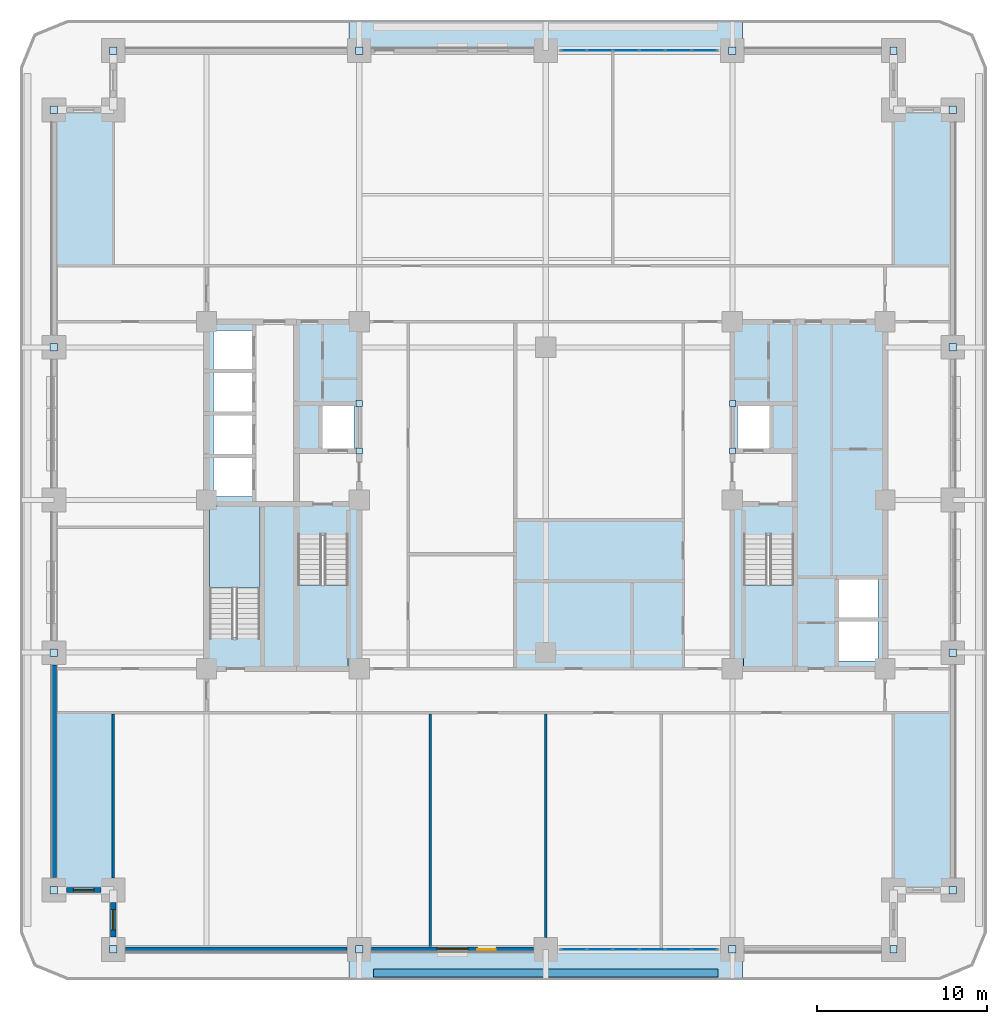
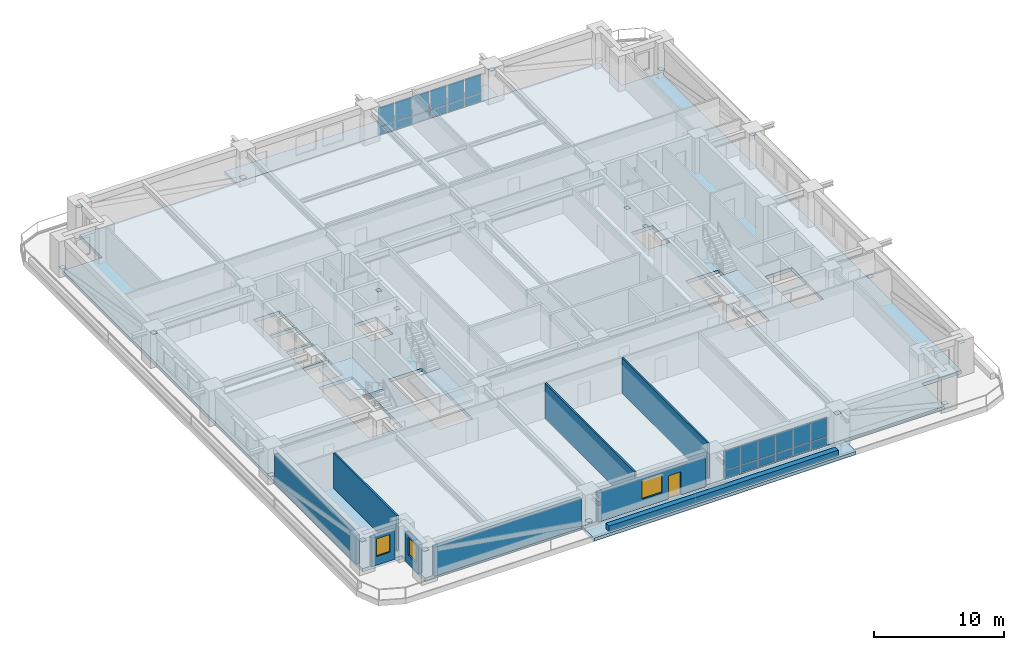
# One storey, part 7 of 20: 44 plates, 9 walls, 6 slabs, 3 windows, 1 door, 4 openings, 5 elements without a shape of their own.
"""IFC4 building model written with IfcOpenShell, lengths in metres."""

import ifcopenshell
import ifcopenshell.guid

model = None  # the IFC model being written
_history = None  # IfcOwnerHistory: only IFC2X3 demands one
_inside = {}  # id of a spatial element -> (the spatial element, [elements in it])
_under = {}  # id of a project, library or spatial element -> (it, [spatial elements below it])
_declared = {}  # id of a project -> (the project, [libraries it declares])
_typed = {}  # id of a type object -> (the type object, [elements of that type])
_made_of = {}  # id of a material, layer set ... -> (it, [elements and type objects made of it])


def new_model(schema):
    """Start an empty IFC model of exactly this schema.

    Asked for "IFC4X3", IfcOpenShell would pick the latest addendum, in which some entities
    have other attributes; the version numbers below select the first issue.
    IFC2X3 requires an IfcOwnerHistory on every rooted entity: one is made here for all.
    """
    global model, _history
    if schema == "IFC4X3":
        model = ifcopenshell.file(schema_version=(4, 3, 0, 0))
    else:
        model = ifcopenshell.file(schema=schema)
    _inside.clear()
    _under.clear()
    _declared.clear()
    _typed.clear()
    _made_of.clear()
    _history = None
    if model.schema == "IFC2X3":
        org = make("IfcOrganization", Name="unknown")
        user = make(
            "IfcPersonAndOrganization",
            ThePerson=make("IfcPerson", FamilyName="unknown"),
            TheOrganization=org,
        )
        app = make(
            "IfcApplication",
            ApplicationDeveloper=org,
            Version="unknown",
            ApplicationFullName="unknown",
            ApplicationIdentifier="unknown",
        )
        _history = make(
            "IfcOwnerHistory",
            OwningUser=user,
            OwningApplication=app,
            ChangeAction="ADDED",
            CreationDate=0,
        )
    return model


def make(cls, **values):
    """One entity of the class cls with the attributes given. An attribute that is None is left unset."""
    return model.create_entity(
        cls, **{name: value for name, value in values.items() if value is not None}
    )


def rooted(cls, **values):
    """An entity with a GlobalId (a new one), such as an element, a storey or a relation."""
    return make(cls, GlobalId=ifcopenshell.guid.new(), OwnerHistory=_history, **values)


def si_unit(unit_type, name, prefix=None):
    """IfcSIUnit, for example si_unit("LENGTHUNIT", "METRE", prefix="MILLI")."""
    return make("IfcSIUnit", UnitType=unit_type, Prefix=prefix, Name=name)


def assignment(units):
    """IfcUnitAssignment: the units of a project."""
    return None if units is None else make("IfcUnitAssignment", Units=units)


def point(xyz):
    """IfcCartesianPoint."""
    return None if xyz is None else make("IfcCartesianPoint", Coordinates=xyz)


def direction(xyz):
    """IfcDirection."""
    return None if xyz is None else make("IfcDirection", DirectionRatios=xyz)


def frame(location, z_axis=None, x_axis=None):
    """IfcAxis2Placement3D, a coordinate frame: its origin and axes. An axis left out is left unset."""
    return make(
        "IfcAxis2Placement3D",
        Location=point(location),
        Axis=direction(z_axis),
        RefDirection=direction(x_axis),
    )


def frame_2d(location, x_axis=None):
    """IfcAxis2Placement2D, a coordinate frame in the plane: its origin and x axis."""
    return make(
        "IfcAxis2Placement2D", Location=point(location), RefDirection=direction(x_axis)
    )


def origin():
    """The frame at (0, 0, 0) with its axes left unset."""
    return frame((0.0, 0.0, 0.0))


def origin_2d():
    """The frame at (0, 0) in the plane with its x axis left unset."""
    return frame_2d((0.0, 0.0))


def place(relative_to, where):
    """IfcLocalPlacement: puts the frame where relative to a parent placement (None: the world)."""
    return make(
        "IfcLocalPlacement", PlacementRelTo=relative_to, RelativePlacement=where
    )


def context(
    kind, dimensions, precision=None, world=None, true_north=None, identifier=None
):
    """IfcGeometricRepresentationContext, for example the 3D "Model" context."""
    return make(
        "IfcGeometricRepresentationContext",
        ContextIdentifier=identifier,
        ContextType=kind,
        CoordinateSpaceDimension=dimensions,
        Precision=precision,
        WorldCoordinateSystem=world,
        TrueNorth=true_north,
    )


def subcontext(parent, identifier, kind, view, scale=None):
    """IfcGeometricRepresentationSubContext, for example "Body" below "Model"."""
    return make(
        "IfcGeometricRepresentationSubContext",
        ContextIdentifier=identifier,
        ContextType=kind,
        ParentContext=parent,
        TargetScale=scale,
        TargetView=view,
    )


def project(units=None, contexts=None):
    """IfcProject with its units and contexts."""
    return rooted(
        "IfcProject",
        Name="project",
        RepresentationContexts=contexts,
        UnitsInContext=assignment(units),
    )


def spatial(cls, under=None, at=None, **own):
    """A site, building, storey or space (cls), placed at a placement, below another one or the project."""
    s = rooted(cls, ObjectPlacement=at, **own)
    if under is not None:
        _under.setdefault(under.id(), (under, []))[1].append(s)
    return s


def polyline(points):
    """IfcPolyline through the points."""
    return make("IfcPolyline", Points=[point(p) for p in points])


def profile(cls, at=None, kind="AREA", **sizes):
    """A parametric profile (cls). Its sizes go by their IFC names, for example OverallWidth=200.0."""
    return make(cls, ProfileType=kind, Position=at, **sizes)


def rectangle(**sizes):
    """IfcRectangleProfileDef."""
    return profile("IfcRectangleProfileDef", **sizes)


def outline(outer, holes=None, kind="AREA"):
    """IfcArbitraryClosedProfileDef: a profile drawn as a closed curve; with holes, ...WithVoids."""
    if holes is None:
        return make("IfcArbitraryClosedProfileDef", ProfileType=kind, OuterCurve=outer)
    return make(
        "IfcArbitraryProfileDefWithVoids",
        ProfileType=kind,
        OuterCurve=outer,
        InnerCurves=holes,
    )


def extrude(swept, where, along, depth):
    """IfcExtrudedAreaSolid: the profile swept, set in the frame where, extruded along a direction by depth."""
    return make(
        "IfcExtrudedAreaSolid",
        SweptArea=swept,
        Position=where,
        ExtrudedDirection=direction(along),
        Depth=depth,
    )


def shape(context_of_items, identifier, shape_type, items):
    """IfcShapeRepresentation: the items that make up one representation, for example the "Body"."""
    return make(
        "IfcShapeRepresentation",
        ContextOfItems=context_of_items,
        RepresentationIdentifier=identifier,
        RepresentationType=shape_type,
        Items=items,
    )


def material(Name=None, Category=None):
    """IfcMaterial."""
    return make("IfcMaterial", Name=Name, Category=Category)


def layer(
    of_material, thickness, ventilated=None, Name=None, Category=None, Priority=None
):
    """IfcMaterialLayer: one layer of a wall or slab, of a material (None: an air gap)."""
    return make(
        "IfcMaterialLayer",
        Material=of_material,
        LayerThickness=thickness,
        IsVentilated=ventilated,
        Name=Name,
        Category=Category,
        Priority=Priority,
    )


def layer_set(layers, Name=None):
    """IfcMaterialLayerSet."""
    return make("IfcMaterialLayerSet", MaterialLayers=layers, LayerSetName=Name)


def made_of(thing, what):
    """Note that an element or type object is made of a material, layer set ...; save() writes the relation."""
    if what is not None:
        _made_of.setdefault(what.id(), (what, []))[1].append(thing)
    return thing


def type_object(cls, material=None, **own):
    """A type object (cls), such as IfcWallType, which elements share."""
    return made_of(rooted(cls, **own), material)


def element(
    cls,
    number,
    at=None,
    inside=None,
    cuts=None,
    type_object=None,
    material=None,
    context=None,
    identifier="Body",
    shape_type=None,
    held_by="IfcProductDefinitionShape",
    body=None,
    shapes=None,
    **own,
):
    """One element of the class cls, such as IfcWall. Its Tag is "e" and its number.

    at: its placement. inside: the storey or other place that contains it. cuts: it is an
    opening in that element (IfcRelVoidsElement). A single representation is given by context,
    identifier, shape_type and body (its items); several are given by shapes. held_by: the class
    of the entity that holds the representations. save() writes the other relations.
    """
    e = rooted(cls, Tag="e%d" % number, ObjectPlacement=at, **own)
    if body is not None:
        shapes = [shape(context, identifier, shape_type, body)]
    if shapes is not None:
        e.Representation = make(held_by, Representations=shapes)
    if inside is not None:
        _inside.setdefault(inside.id(), (inside, []))[1].append(e)
    if cuts is not None:
        rooted(
            "IfcRelVoidsElement", RelatingBuildingElement=cuts, RelatedOpeningElement=e
        )
    if type_object is not None:
        _typed.setdefault(type_object.id(), (type_object, []))[1].append(e)
    return made_of(e, material)


def fill(opening, filler):
    """IfcRelFillsElement: the door or window that sits in an opening."""
    return rooted(
        "IfcRelFillsElement",
        RelatingOpeningElement=opening,
        RelatedBuildingElement=filler,
    )


def aggregate(whole, parts):
    """IfcRelAggregates: a whole, such as a stair, and the parts it consists of."""
    return rooted("IfcRelAggregates", RelatingObject=whole, RelatedObjects=parts)


def save(model, path):
    """Write the relations noted so far, then the file.

    IfcRelAggregates (storeys below a building ...), IfcRelContainedInSpatialStructure (elements
    in a storey), IfcRelDefinesByType, IfcRelAssociatesMaterial and IfcRelDeclares: one each for
    every whole, place, type object, material and project.
    """
    for whole, parts in _under.values():
        aggregate(whole, parts)
    for where, things in _inside.values():
        rooted(
            "IfcRelContainedInSpatialStructure",
            RelatedElements=things,
            RelatingStructure=where,
        )
    for kind, things in _typed.values():
        rooted("IfcRelDefinesByType", RelatedObjects=things, RelatingType=kind)
    for what, things in _made_of.values():
        rooted("IfcRelAssociatesMaterial", RelatedObjects=things, RelatingMaterial=what)
    for by, libraries in _declared.values():
        rooted("IfcRelDeclares", RelatingContext=by, RelatedDefinitions=libraries)
    model.write(path)


model = new_model("IFC4")

# Units and contexts
model_context = context("Model", 3, precision=1e-05, world=origin(), true_north=direction((0.0, 1.0)))
body_context = subcontext(model_context, "Body", "Model", "MODEL_VIEW")
ifc_project = project(units=[si_unit("LENGTHUNIT", "METRE"), si_unit("AREAUNIT", "SQUARE_METRE"), si_unit("VOLUMEUNIT", "CUBIC_METRE"), si_unit("PLANEANGLEUNIT", "RADIAN"), si_unit("MASSUNIT", "GRAM", prefix="KILO")], contexts=[model_context])

# Site, building, storey
site_placement = place(None, origin())
site = spatial("IfcSite", under=ifc_project, at=site_placement, CompositionType="ELEMENT")
building_placement = place(site_placement, origin())
building = spatial("IfcBuilding", under=site, at=building_placement, Name="Zulmaris Gate Convention Tower", CompositionType="ELEMENT")
storey_placement = place(building_placement, frame((0.0, 0.0, 71.469970703125)))
storey = spatial("IfcBuildingStorey", under=building, at=storey_placement, Name="L17", CompositionType="ELEMENT", Elevation=71.469970703125)

# Curtain wall, plates
ifc_material_1 = material(Name="Anodised Aluminium", Category="aluminium")
curtain_wall_type = type_object("IfcCurtainWallType", Name="CW-05", PredefinedType="NOTDEFINED", material=ifc_material_1)
curtain_wall_1_placement = place(storey_placement, origin())
curtain_wall_1 = element("IfcCurtainWall", 1, at=curtain_wall_1_placement, inside=storey, type_object=curtain_wall_type, Name="CW-05 CW05-L17-S-2_0", PredefinedType="NOTDEFINED")
ifc_material_2 = material(Name="Low-E Double Glazing", Category="glass")
ifc_layer_1 = layer(ifc_material_2, 0.028076171875, Name="Low-E Double Glazing")
ifc_layer_set_1 = layer_set([ifc_layer_1], Name="Low-E Double Glazing")
plate_type_1 = type_object("IfcPlateType", Name="CW-05-VISION", PredefinedType="CURTAIN_PANEL", material=ifc_layer_set_1)
plate_1_placement = place(storey_placement, frame((1.652099609375, -26.5, 0.074951171875), z_axis=(0.0, 0.0, 1.0), x_axis=(1.0, 0.0, 0.0)))
plate_1 = element("IfcPlate", 2, at=plate_1_placement, type_object=plate_type_1, Name="CW-05 panel 1.1", PredefinedType="CURTAIN_PANEL", context=body_context, shape_type="SweptSolid", body=[
    extrude(rectangle(XDim=1.43408203125, YDim=0.028076171875, at=origin_2d()), origin(), (0.0, 0.0, 1.0), 0.6875),
])
plate_2_placement = place(storey_placement, frame((1.652099609375, -26.5, 0.83740234375), z_axis=(0.0, 0.0, 1.0), x_axis=(1.0, 0.0, 0.0)))
plate_2 = element("IfcPlate", 3, at=plate_2_placement, type_object=plate_type_1, Name="CW-05 panel 1.2", PredefinedType="CURTAIN_PANEL", context=body_context, shape_type="SweptSolid", body=[
    extrude(rectangle(XDim=1.43408203125, YDim=0.028076171875, at=origin_2d()), origin(), (0.0, 0.0, 1.0), 1.799560546875),
])
plate_3_placement = place(storey_placement, frame((3.179931640625, -26.5, 0.074951171875), z_axis=(0.0, 0.0, 1.0), x_axis=(1.0, 0.0, 0.0)))
plate_3 = element("IfcPlate", 4, at=plate_3_placement, type_object=plate_type_1, Name="CW-05 panel 2.1", PredefinedType="CURTAIN_PANEL", context=body_context, shape_type="SweptSolid", body=[
    extrude(rectangle(XDim=1.4716796875, YDim=0.028076171875, at=origin_2d()), origin(), (0.0, 0.0, 1.0), 0.6875),
])
plate_4_placement = place(storey_placement, frame((3.179931640625, -26.5, 0.83740234375), z_axis=(0.0, 0.0, 1.0), x_axis=(1.0, 0.0, 0.0)))
plate_4 = element("IfcPlate", 5, at=plate_4_placement, type_object=plate_type_1, Name="CW-05 panel 2.2", PredefinedType="CURTAIN_PANEL", context=body_context, shape_type="SweptSolid", body=[
    extrude(rectangle(XDim=1.4716796875, YDim=0.028076171875, at=origin_2d()), origin(), (0.0, 0.0, 1.0), 1.799560546875),
])
plate_5_placement = place(storey_placement, frame((4.7265625, -26.5, 0.074951171875), z_axis=(0.0, 0.0, 1.0), x_axis=(1.0, 0.0, 0.0)))
plate_5 = element("IfcPlate", 6, at=plate_5_placement, type_object=plate_type_1, Name="CW-05 panel 3.1", PredefinedType="CURTAIN_PANEL", context=body_context, shape_type="SweptSolid", body=[
    extrude(rectangle(XDim=1.4716796875, YDim=0.028076171875, at=origin_2d()), origin(), (0.0, 0.0, 1.0), 0.6875),
])
plate_6_placement = place(storey_placement, frame((4.7265625, -26.5, 0.83740234375), z_axis=(0.0, 0.0, 1.0), x_axis=(1.0, 0.0, 0.0)))
plate_6 = element("IfcPlate", 7, at=plate_6_placement, type_object=plate_type_1, Name="CW-05 panel 3.2", PredefinedType="CURTAIN_PANEL", context=body_context, shape_type="SweptSolid", body=[
    extrude(rectangle(XDim=1.4716796875, YDim=0.028076171875, at=origin_2d()), origin(), (0.0, 0.0, 1.0), 1.799560546875),
])
plate_7_placement = place(storey_placement, frame((6.2734375, -26.5, 0.074951171875), z_axis=(0.0, 0.0, 1.0), x_axis=(1.0, 0.0, 0.0)))
plate_7 = element("IfcPlate", 8, at=plate_7_placement, type_object=plate_type_1, Name="CW-05 panel 4.1", PredefinedType="CURTAIN_PANEL", context=body_context, shape_type="SweptSolid", body=[
    extrude(rectangle(XDim=1.4716796875, YDim=0.028076171875, at=origin_2d()), origin(), (0.0, 0.0, 1.0), 0.6875),
])
plate_8_placement = place(storey_placement, frame((6.2734375, -26.5, 0.83740234375), z_axis=(0.0, 0.0, 1.0), x_axis=(1.0, 0.0, 0.0)))
plate_8 = element("IfcPlate", 9, at=plate_8_placement, type_object=plate_type_1, Name="CW-05 panel 4.2", PredefinedType="CURTAIN_PANEL", context=body_context, shape_type="SweptSolid", body=[
    extrude(rectangle(XDim=1.4716796875, YDim=0.028076171875, at=origin_2d()), origin(), (0.0, 0.0, 1.0), 1.799560546875),
])
plate_9_placement = place(storey_placement, frame((7.820068359375, -26.5, 0.074951171875), z_axis=(0.0, 0.0, 1.0), x_axis=(1.0, 0.0, 0.0)))
plate_9 = element("IfcPlate", 10, at=plate_9_placement, type_object=plate_type_1, Name="CW-05 panel 5.1", PredefinedType="CURTAIN_PANEL", context=body_context, shape_type="SweptSolid", body=[
    extrude(rectangle(XDim=1.4716796875, YDim=0.028076171875, at=origin_2d()), origin(), (0.0, 0.0, 1.0), 0.6875),
])
plate_10_placement = place(storey_placement, frame((7.820068359375, -26.5, 0.83740234375), z_axis=(0.0, 0.0, 1.0), x_axis=(1.0, 0.0, 0.0)))
plate_10 = element("IfcPlate", 11, at=plate_10_placement, type_object=plate_type_1, Name="CW-05 panel 5.2", PredefinedType="CURTAIN_PANEL", context=body_context, shape_type="SweptSolid", body=[
    extrude(rectangle(XDim=1.4716796875, YDim=0.028076171875, at=origin_2d()), origin(), (0.0, 0.0, 1.0), 1.799560546875),
])
plate_11_placement = place(storey_placement, frame((9.347900390625, -26.5, 0.074951171875), z_axis=(0.0, 0.0, 1.0), x_axis=(1.0, 0.0, 0.0)))
plate_11 = element("IfcPlate", 12, at=plate_11_placement, type_object=plate_type_1, Name="CW-05 panel 6.1", PredefinedType="CURTAIN_PANEL", context=body_context, shape_type="SweptSolid", body=[
    extrude(rectangle(XDim=1.43408203125, YDim=0.028076171875, at=origin_2d()), origin(), (0.0, 0.0, 1.0), 0.6875),
])
plate_12_placement = place(storey_placement, frame((9.347900390625, -26.5, 0.83740234375), z_axis=(0.0, 0.0, 1.0), x_axis=(1.0, 0.0, 0.0)))
plate_12 = element("IfcPlate", 13, at=plate_12_placement, type_object=plate_type_1, Name="CW-05 panel 6.2", PredefinedType="CURTAIN_PANEL", context=body_context, shape_type="SweptSolid", body=[
    extrude(rectangle(XDim=1.43408203125, YDim=0.028076171875, at=origin_2d()), origin(), (0.0, 0.0, 1.0), 1.799560546875),
])
aggregate(curtain_wall_1, [plate_1, plate_2, plate_3, plate_4, plate_5, plate_6, plate_7, plate_8, plate_9, plate_10, plate_11, plate_12])

curtain_wall_2_placement = place(storey_placement, origin())
curtain_wall_2 = element("IfcCurtainWall", 14, at=curtain_wall_2_placement, inside=storey, type_object=curtain_wall_type, Name="CW-05 CW05-L17-N-2_0", PredefinedType="NOTDEFINED")
plate_13_placement = place(storey_placement, frame((9.347900390625, 26.5, 0.074951171875), z_axis=(0.0, 0.0, 1.0), x_axis=(-1.0, 0.0, 0.0)))
plate_13 = element("IfcPlate", 15, at=plate_13_placement, type_object=plate_type_1, Name="CW-05 panel 1.1", PredefinedType="CURTAIN_PANEL", context=body_context, shape_type="SweptSolid", body=[
    extrude(rectangle(XDim=1.43408203125, YDim=0.028076171875, at=origin_2d()), origin(), (0.0, 0.0, 1.0), 0.6875),
])
plate_14_placement = place(storey_placement, frame((9.347900390625, 26.5, 0.83740234375), z_axis=(0.0, 0.0, 1.0), x_axis=(-1.0, 0.0, 0.0)))
plate_14 = element("IfcPlate", 16, at=plate_14_placement, type_object=plate_type_1, Name="CW-05 panel 1.2", PredefinedType="CURTAIN_PANEL", context=body_context, shape_type="SweptSolid", body=[
    extrude(rectangle(XDim=1.43408203125, YDim=0.028076171875, at=origin_2d()), origin(), (0.0, 0.0, 1.0), 1.799560546875),
])
plate_15_placement = place(storey_placement, frame((7.820068359375, 26.5, 0.074951171875), z_axis=(0.0, 0.0, 1.0), x_axis=(-1.0, 0.0, 0.0)))
plate_15 = element("IfcPlate", 17, at=plate_15_placement, type_object=plate_type_1, Name="CW-05 panel 2.1", PredefinedType="CURTAIN_PANEL", context=body_context, shape_type="SweptSolid", body=[
    extrude(rectangle(XDim=1.4716796875, YDim=0.028076171875, at=origin_2d()), origin(), (0.0, 0.0, 1.0), 0.6875),
])
plate_16_placement = place(storey_placement, frame((7.820068359375, 26.5, 0.83740234375), z_axis=(0.0, 0.0, 1.0), x_axis=(-1.0, 0.0, 0.0)))
plate_16 = element("IfcPlate", 18, at=plate_16_placement, type_object=plate_type_1, Name="CW-05 panel 2.2", PredefinedType="CURTAIN_PANEL", context=body_context, shape_type="SweptSolid", body=[
    extrude(rectangle(XDim=1.4716796875, YDim=0.028076171875, at=origin_2d()), origin(), (0.0, 0.0, 1.0), 1.799560546875),
])
plate_17_placement = place(storey_placement, frame((6.2734375, 26.5, 0.074951171875), z_axis=(0.0, 0.0, 1.0), x_axis=(-1.0, 0.0, 0.0)))
plate_17 = element("IfcPlate", 19, at=plate_17_placement, type_object=plate_type_1, Name="CW-05 panel 3.1", PredefinedType="CURTAIN_PANEL", context=body_context, shape_type="SweptSolid", body=[
    extrude(rectangle(XDim=1.4716796875, YDim=0.028076171875, at=origin_2d()), origin(), (0.0, 0.0, 1.0), 0.6875),
])
plate_18_placement = place(storey_placement, frame((6.2734375, 26.5, 0.83740234375), z_axis=(0.0, 0.0, 1.0), x_axis=(-1.0, 0.0, 0.0)))
plate_18 = element("IfcPlate", 20, at=plate_18_placement, type_object=plate_type_1, Name="CW-05 panel 3.2", PredefinedType="CURTAIN_PANEL", context=body_context, shape_type="SweptSolid", body=[
    extrude(rectangle(XDim=1.4716796875, YDim=0.028076171875, at=origin_2d()), origin(), (0.0, 0.0, 1.0), 1.799560546875),
])
plate_19_placement = place(storey_placement, frame((4.7265625, 26.5, 0.074951171875), z_axis=(0.0, 0.0, 1.0), x_axis=(-1.0, 0.0, 0.0)))
plate_19 = element("IfcPlate", 21, at=plate_19_placement, type_object=plate_type_1, Name="CW-05 panel 4.1", PredefinedType="CURTAIN_PANEL", context=body_context, shape_type="SweptSolid", body=[
    extrude(rectangle(XDim=1.4716796875, YDim=0.028076171875, at=origin_2d()), origin(), (0.0, 0.0, 1.0), 0.6875),
])
plate_20_placement = place(storey_placement, frame((4.7265625, 26.5, 0.83740234375), z_axis=(0.0, 0.0, 1.0), x_axis=(-1.0, 0.0, 0.0)))
plate_20 = element("IfcPlate", 22, at=plate_20_placement, type_object=plate_type_1, Name="CW-05 panel 4.2", PredefinedType="CURTAIN_PANEL", context=body_context, shape_type="SweptSolid", body=[
    extrude(rectangle(XDim=1.4716796875, YDim=0.028076171875, at=origin_2d()), origin(), (0.0, 0.0, 1.0), 1.799560546875),
])
plate_21_placement = place(storey_placement, frame((3.179931640625, 26.5, 0.074951171875), z_axis=(0.0, 0.0, 1.0), x_axis=(-1.0, 0.0, 0.0)))
plate_21 = element("IfcPlate", 23, at=plate_21_placement, type_object=plate_type_1, Name="CW-05 panel 5.1", PredefinedType="CURTAIN_PANEL", context=body_context, shape_type="SweptSolid", body=[
    extrude(rectangle(XDim=1.4716796875, YDim=0.028076171875, at=origin_2d()), origin(), (0.0, 0.0, 1.0), 0.6875),
])
plate_22_placement = place(storey_placement, frame((3.179931640625, 26.5, 0.83740234375), z_axis=(0.0, 0.0, 1.0), x_axis=(-1.0, 0.0, 0.0)))
plate_22 = element("IfcPlate", 24, at=plate_22_placement, type_object=plate_type_1, Name="CW-05 panel 5.2", PredefinedType="CURTAIN_PANEL", context=body_context, shape_type="SweptSolid", body=[
    extrude(rectangle(XDim=1.4716796875, YDim=0.028076171875, at=origin_2d()), origin(), (0.0, 0.0, 1.0), 1.799560546875),
])
plate_23_placement = place(storey_placement, frame((1.652099609375, 26.5, 0.074951171875), z_axis=(0.0, 0.0, 1.0), x_axis=(-1.0, 0.0, 0.0)))
plate_23 = element("IfcPlate", 25, at=plate_23_placement, type_object=plate_type_1, Name="CW-05 panel 6.1", PredefinedType="CURTAIN_PANEL", context=body_context, shape_type="SweptSolid", body=[
    extrude(rectangle(XDim=1.43408203125, YDim=0.028076171875, at=origin_2d()), origin(), (0.0, 0.0, 1.0), 0.6875),
])
plate_24_placement = place(storey_placement, frame((1.652099609375, 26.5, 0.83740234375), z_axis=(0.0, 0.0, 1.0), x_axis=(-1.0, 0.0, 0.0)))
plate_24 = element("IfcPlate", 26, at=plate_24_placement, type_object=plate_type_1, Name="CW-05 panel 6.2", PredefinedType="CURTAIN_PANEL", context=body_context, shape_type="SweptSolid", body=[
    extrude(rectangle(XDim=1.43408203125, YDim=0.028076171875, at=origin_2d()), origin(), (0.0, 0.0, 1.0), 1.799560546875),
])
aggregate(curtain_wall_2, [plate_13, plate_14, plate_15, plate_16, plate_17, plate_18, plate_19, plate_20, plate_21, plate_22, plate_23, plate_24])

# Plates
ifc_material_3 = material(Name="Steel S460", Category="steel")
ifc_layer_2 = layer(ifc_material_3, 0.02197265625, Name="Steel S460")
ifc_layer_set_2 = layer_set([ifc_layer_2], Name="Steel S460")
plate_type_2 = type_object("IfcPlateType", Name="NP-CAP-360", PredefinedType="USERDEFINED", material=ifc_layer_set_2)
for number, where, z_axis, x_axis, name in (
    (27, (-11.0, 2.89990234375, 2.339111328125), (0.0, 0.0, 1.0), (1.0, 0.0, 0.0), "L17 Steel Node Plate LN-L17-1-CAP0"),
    (28, (-11.0, 5.699951171875, 2.339111328125), (0.0, 0.0, 1.0), (1.0, 0.0, 0.0), "L17 Steel Node Plate LN-L17-1-CAP1"),
    (29, (11.0, 2.89990234375, 2.339111328125), (0.0, 0.0, 1.0), (1.0, 0.0, 0.0), "L17 Steel Node Plate LN-L17-2-CAP0"),
    (30, (11.0, 5.699951171875, 2.339111328125), (0.0, 0.0, 1.0), (1.0, 0.0, 0.0), "L17 Steel Node Plate LN-L17-2-CAP1"),
):
    element("IfcPlate", number, at=place(storey_placement, frame(where, z_axis=z_axis, x_axis=x_axis)), inside=storey, type_object=plate_type_2, Name=name, ObjectType="FLANGE PLATE", PredefinedType="USERDEFINED", context=body_context, shape_type="SweptSolid", body=[
        extrude(rectangle(XDim=0.360107421875, YDim=0.360107421875, at=origin_2d()), origin(), (0.0, 0.0, 1.0), 0.02197265625),
    ])
ifc_layer_3 = layer(ifc_material_3, 0.02490234375, Name="Steel S460")
ifc_layer_set_3 = layer_set([ifc_layer_3], Name="Steel S460")
plate_type_3 = type_object("IfcPlateType", Name="NP-CAP-440", PredefinedType="USERDEFINED", material=ifc_layer_set_3)
for number, where, z_axis, x_axis, name in (
    (31, (-29.0, -9.0, 0.28759765625), (0.0, 0.0, 1.0), (1.0, 0.0, 0.0), "L17 Steel Node Plate PBR-L17-SW-W-CAP"),
    (32, (-29.0, -23.0, 2.6875), (0.0, 0.0, 1.0), (1.0, 0.0, 0.0), "L17 Steel Node Plate PBR-L17-SW-W-CAPB"),
    (33, (-29.0, 23.0, 0.28759765625), (0.0, 0.0, 1.0), (1.0, 0.0, 0.0), "L17 Steel Node Plate PBR-L17-NW-W-CAP"),
    (34, (-29.0, 9.0, 2.6875), (0.0, 0.0, 1.0), (1.0, 0.0, 0.0), "L17 Steel Node Plate PBR-L17-NW-W-CAPB"),
    (35, (24.0, -9.0, 0.28759765625), (0.0, 0.0, 1.0), (1.0, 0.0, 0.0), "L17 Steel Node Plate PBR-L17-SE-E-CAP"),
    (36, (24.0, -23.0, 2.6875), (0.0, 0.0, 1.0), (1.0, 0.0, 0.0), "L17 Steel Node Plate PBR-L17-SE-E-CAPB"),
    (37, (24.0, 23.0, 0.28759765625), (0.0, 0.0, 1.0), (1.0, 0.0, 0.0), "L17 Steel Node Plate PBR-L17-NE-E-CAP"),
    (38, (24.0, 9.0, 2.6875), (0.0, 0.0, 1.0), (1.0, 0.0, 0.0), "L17 Steel Node Plate PBR-L17-NE-E-CAPB"),
    (39, (-11.0, -26.5, 0.28759765625), (0.0, 0.0, 1.0), (1.0, 0.0, 0.0), "L17 Steel Node Plate PBR-L17-SW-S-CAP"),
    (40, (-25.5, -26.5, 2.6875), (0.0, 0.0, 1.0), (1.0, 0.0, 0.0), "L17 Steel Node Plate PBR-L17-SW-S-CAPB"),
    (41, (20.5, -26.5, 0.28759765625), (0.0, 0.0, 1.0), (1.0, 0.0, 0.0), "L17 Steel Node Plate PBR-L17-SE-S-CAP"),
    (42, (11.0, -26.5, 2.6875), (0.0, 0.0, 1.0), (1.0, 0.0, 0.0), "L17 Steel Node Plate PBR-L17-SE-S-CAPB"),
    (43, (-11.0, 26.5, 0.28759765625), (0.0, 0.0, 1.0), (1.0, 0.0, 0.0), "L17 Steel Node Plate PBR-L17-NW-N-CAP"),
    (44, (-25.5, 26.5, 2.6875), (0.0, 0.0, 1.0), (1.0, 0.0, 0.0), "L17 Steel Node Plate PBR-L17-NW-N-CAPB"),
    (45, (20.5, 26.5, 0.28759765625), (0.0, 0.0, 1.0), (1.0, 0.0, 0.0), "L17 Steel Node Plate PBR-L17-NE-N-CAP"),
    (46, (11.0, 26.5, 2.6875), (0.0, 0.0, 1.0), (1.0, 0.0, 0.0), "L17 Steel Node Plate PBR-L17-NE-N-CAPB"),
):
    element("IfcPlate", number, at=place(storey_placement, frame(where, z_axis=z_axis, x_axis=x_axis)), inside=storey, type_object=plate_type_3, Name=name, ObjectType="FLANGE PLATE", PredefinedType="USERDEFINED", context=body_context, shape_type="SweptSolid", body=[
        extrude(rectangle(XDim=0.43994140625, YDim=0.43994140625, at=origin_2d()), origin(), (0.0, 0.0, 1.0), 0.02490234375),
    ])

# Slab
ifc_material_4 = material(Name="Concrete C50/60", Category="concrete")
ifc_layer_4 = layer(ifc_material_4, 0.324951171875, Name="Concrete C50/60")
ifc_layer_set_4 = layer_set([ifc_layer_4], Name="Concrete C50/60")
slab_type_1 = type_object("IfcSlabType", Name="SL-FLR-325", PredefinedType="FLOOR", material=ifc_layer_set_4)
slab_1_placement = place(storey_placement, frame((0.0, 0.0, -0.324951171875)))
element("IfcSlab", 47, at=slab_1_placement, inside=storey, type_object=slab_type_1, Name="L17 Shifted Notched-Square Structural Floor Slab", PredefinedType="FLOOR", context=body_context, shape_type="SweptSolid", body=[
    extrude(outline(polyline([(-25.5, -26.5), (20.5, -26.5), (20.5, -23.0), (24.0, -23.0), (24.0, 23.0), (20.5, 23.0), (20.5, 26.5), (-25.5, 26.5), (-25.5, 23.0), (-29.0, 23.0), (-29.0, -23.0), (-25.5, -23.0), (-25.5, -26.5)]), holes=[polyline([(-14.6201171875, -2.080078125), (-14.6201171875, -9.85009765625), (-11.659912109375, -9.85009765625), (-11.659912109375, -2.080078125), (-14.6201171875, -2.080078125)]), polyline([(11.659912109375, -2.080078125), (11.659912109375, -9.85009765625), (14.6201171875, -9.85009765625), (14.6201171875, -2.080078125), (11.659912109375, -2.080078125)]), polyline([(-16.860107421875, -8.1201171875), (-16.860107421875, -0.35009765625), (-19.820068359375, -0.35009765625), (-19.820068359375, -8.1201171875), (-16.860107421875, -8.1201171875)]), polyline([(-13.199951171875, 3.0), (-11.300048828125, 3.0), (-11.300048828125, 5.60009765625), (-13.199951171875, 5.60009765625), (-13.199951171875, 3.0)]), polyline([(11.300048828125, 3.0), (13.199951171875, 3.0), (13.199951171875, 5.60009765625), (11.300048828125, 5.60009765625), (11.300048828125, 3.0)]), polyline([(-19.60009765625, 0.199951171875), (-17.300048828125, 0.199951171875), (-17.300048828125, 2.5), (-19.60009765625, 2.5), (-19.60009765625, 0.199951171875)]), polyline([(-19.60009765625, 2.699951171875), (-17.300048828125, 2.699951171875), (-17.300048828125, 5.0), (-19.60009765625, 5.0), (-19.60009765625, 2.699951171875)]), polyline([(-19.60009765625, 5.199951171875), (-17.300048828125, 5.199951171875), (-17.300048828125, 7.5), (-19.60009765625, 7.5), (-19.60009765625, 5.199951171875)]), polyline([(-19.60009765625, 7.699951171875), (-17.300048828125, 7.699951171875), (-17.300048828125, 10.0), (-19.60009765625, 10.0), (-19.60009765625, 7.699951171875)]), polyline([(17.199951171875, -9.5), (19.60009765625, -9.5), (19.60009765625, -7.10009765625), (17.199951171875, -7.10009765625), (17.199951171875, -9.5)]), polyline([(17.199951171875, -7.0), (19.60009765625, -7.0), (19.60009765625, -4.60009765625), (17.199951171875, -4.60009765625), (17.199951171875, -7.0)])]), origin(), (0.0, 0.0, 1.0), 0.324951171875),
])

# Stair, slab
ifc_material_5 = material(Name="Concrete C45/55", Category="concrete")
stair_type = type_object("IfcStairType", Name="ST-CORE-DOGLEG", PredefinedType="HALF_TURN_STAIR", material=ifc_material_5)
stair_1_placement = place(storey_placement, origin())
stair_1 = element("IfcStair", 48, at=stair_1_placement, inside=storey, type_object=stair_type, Name="L17 Core Exit Stair ST-1", PredefinedType="HALF_TURN_STAIR")
ifc_layer_5 = layer(ifc_material_5, 0.199951171875, Name="Concrete C45/55")
ifc_layer_set_5 = layer_set([ifc_layer_5], Name="Concrete C45/55")
slab_type_2 = type_object("IfcSlabType", Name="SL-LND-200", PredefinedType="LANDING", material=ifc_layer_set_5)
slab_2_placement = place(storey_placement, frame((0.0, 0.0, 1.5849609375)))
slab_2 = element("IfcSlab", 49, at=slab_2_placement, type_object=slab_type_2, Name="ST-1 landing 1", PredefinedType="LANDING", context=body_context, shape_type="SweptSolid", body=[
    extrude(outline(polyline([(-14.6201171875, -5.0), (-14.6201171875, -9.85009765625), (-11.659912109375, -9.85009765625), (-11.659912109375, -5.0), (-14.6201171875, -5.0)])), origin(), (0.0, 0.0, 1.0), 0.199951171875),
])
aggregate(stair_1, [slab_2])

stair_2_placement = place(storey_placement, origin())
stair_2 = element("IfcStair", 50, at=stair_2_placement, inside=storey, type_object=stair_type, Name="L17 Core Exit Stair ST-2", PredefinedType="HALF_TURN_STAIR")
slab_3_placement = place(storey_placement, frame((0.0, 0.0, 1.5849609375)))
slab_3 = element("IfcSlab", 51, at=slab_3_placement, type_object=slab_type_2, Name="ST-2 landing 1", PredefinedType="LANDING", context=body_context, shape_type="SweptSolid", body=[
    extrude(outline(polyline([(11.659912109375, -5.0), (11.659912109375, -9.85009765625), (14.6201171875, -9.85009765625), (14.6201171875, -5.0), (11.659912109375, -5.0)])), origin(), (0.0, 0.0, 1.0), 0.199951171875),
])
aggregate(stair_2, [slab_3])

stair_3_placement = place(storey_placement, origin())
stair_3 = element("IfcStair", 52, at=stair_3_placement, inside=storey, type_object=stair_type, Name="L17 Core Exit Stair ST-3", PredefinedType="HALF_TURN_STAIR")
slab_4_placement = place(storey_placement, frame((0.0, 0.0, 1.5849609375)))
slab_4 = element("IfcSlab", 53, at=slab_4_placement, type_object=slab_type_2, Name="ST-3 landing 1", PredefinedType="LANDING", context=body_context, shape_type="SweptSolid", body=[
    extrude(outline(polyline([(-16.860107421875, -5.199951171875), (-16.860107421875, -0.35009765625), (-19.820068359375, -0.35009765625), (-19.820068359375, -5.199951171875), (-16.860107421875, -5.199951171875)])), origin(), (0.0, 0.0, 1.0), 0.199951171875),
])
aggregate(stair_3, [slab_4])

# Slabs
ifc_layer_6 = layer(ifc_material_4, 0.300048828125, Name="Concrete C50/60")
ifc_layer_set_6 = layer_set([ifc_layer_6], Name="Concrete C50/60")
slab_type_3 = type_object("IfcSlabType", Name="SL-SG-300", PredefinedType="FLOOR", material=ifc_layer_set_6)
slab_5_placement = place(storey_placement, frame((0.0, 0.0, -0.324951171875)))
element("IfcSlab", 54, at=slab_5_placement, inside=storey, type_object=slab_type_3, Name="L17 South Sky-Garden Planter Slab", PredefinedType="FLOOR", context=body_context, shape_type="SweptSolid", body=[
    extrude(outline(polyline([(-11.597900390625, -28.300048828125), (-11.597900390625, -26.5), (11.597900390625, -26.5), (11.597900390625, -28.300048828125), (-11.597900390625, -28.300048828125)])), origin(), (0.0, 0.0, 1.0), 0.300048828125),
])
slab_6_placement = place(storey_placement, frame((0.0, 0.0, -0.324951171875)))
element("IfcSlab", 55, at=slab_6_placement, inside=storey, type_object=slab_type_3, Name="L17 North Sky-Garden Planter Slab", PredefinedType="FLOOR", context=body_context, shape_type="SweptSolid", body=[
    extrude(outline(polyline([(11.597900390625, 28.300048828125), (11.597900390625, 26.5), (-11.597900390625, 26.5), (-11.597900390625, 28.300048828125), (11.597900390625, 28.300048828125)])), origin(), (0.0, 0.0, 1.0), 0.300048828125),
])

# Walls
ifc_material_6 = material(Name="Gypsum Metal Stud Partition")
ifc_layer_7 = layer(ifc_material_6, 0.14990234375, Name="Gypsum Metal Stud Partition")
ifc_layer_set_7 = layer_set([ifc_layer_7], Name="Gypsum Metal Stud Partition")
wall_type_1 = type_object("IfcWallType", Name="PART-150", PredefinedType="PARTITIONING", material=ifc_layer_set_7)
wall_1_placement = place(storey_placement, frame((-25.5, -22.2939453125, 0.0), z_axis=(0.0, 0.0, 1.0), x_axis=(0.0, 1.0, 0.0)))
element("IfcWall", 56, at=wall_1_placement, inside=storey, type_object=wall_type_1, Name="WL-L17-072", PredefinedType="PARTITIONING", context=body_context, shape_type="SweptSolid", body=[
    extrude(rectangle(XDim=9.666015625, YDim=0.14990234375, at=frame_2d((4.8330078125, 0.0))), origin(), (0.0, 0.0, 1.0), 3.320068359375),
])
wall_2_placement = place(storey_placement, frame((-6.800048828125, -26.3349609375, 0.0), z_axis=(0.0, 0.0, 1.0), x_axis=(0.0, 1.0, 0.0)))
element("IfcWall", 57, at=wall_2_placement, inside=storey, type_object=wall_type_1, Name="WL-L17-080", PredefinedType="PARTITIONING", context=body_context, shape_type="SweptSolid", body=[
    extrude(rectangle(XDim=13.70703125, YDim=0.14990234375, at=frame_2d((6.853515625, 0.0))), origin(), (0.0, 0.0, 1.0), 3.320068359375),
])
wall_3_placement = place(storey_placement, frame((0.0, -25.7939453125, 0.0), z_axis=(0.0, 0.0, 1.0), x_axis=(0.0, 1.0, 0.0)))
element("IfcWall", 58, at=wall_3_placement, inside=storey, type_object=wall_type_1, Name="WL-L17-085", PredefinedType="PARTITIONING", context=body_context, shape_type="SweptSolid", body=[
    extrude(rectangle(XDim=13.166015625, YDim=0.14990234375, at=frame_2d((6.5830078125, 0.0))), origin(), (0.0, 0.0, 1.0), 3.320068359375),
])
ifc_material_7 = material(Name="Botanical Green Glazed Precast Concrete C40/50", Category="concrete")
ifc_layer_8 = layer(ifc_material_7, 0.419921875, Name="Botanical Green Glazed Precast Concrete C40/50")
ifc_layer_set_8 = layer_set([ifc_layer_8], Name="Botanical Green Glazed Precast Concrete C40/50")
wall_type_2 = type_object("IfcWallType", Name="PLANTER-CURB-200", PredefinedType="PARAPET", material=ifc_layer_set_8)
wall_4_placement = place(storey_placement, frame((-10.14990234375, -27.8798828125, -0.0400390625), z_axis=(0.0, 0.0, 1.0), x_axis=(1.0, 0.0, 0.0)))
element("IfcWall", 59, at=wall_4_placement, inside=storey, type_object=wall_type_2, Name="L17 Full-Length Balcony Tree Planter Trough", PredefinedType="PARAPET", context=body_context, shape_type="SweptSolid", body=[
    extrude(rectangle(XDim=20.2998046875, YDim=0.47998046875, at=frame_2d((10.14990234375, 0.0))), origin(), (0.0, 0.0, 1.0), 0.52001953125),
])

# Wall, opening, window
ifc_material_8 = material(Name="Precast concrete C40/50", Category="concrete")
ifc_layer_9 = layer(ifc_material_8, 0.300048828125, Name="Precast concrete C40/50")
ifc_layer_set_9 = layer_set([ifc_layer_9], Name="Precast concrete C40/50")
wall_type_3 = type_object("IfcWallType", Name="PRECAST-PIER-300", PredefinedType="STANDARD", material=ifc_layer_set_9)
wall_5_placement = place(storey_placement, frame((-28.27001953125, -23.0, 0.0), z_axis=(0.0, 0.0, 1.0), x_axis=(1.0, 0.0, 0.0)))
wall_5 = element("IfcWall", 60, at=wall_5_placement, inside=storey, type_object=wall_type_3, Name="EW-L17-NOTCH-SW1_0", PredefinedType="STANDARD", context=body_context, shape_type="SweptSolid", body=[
    extrude(rectangle(XDim=2.0400390625, YDim=0.300048828125, at=frame_2d((1.02001953125, 0.0))), origin(), (0.0, 0.0, 1.0), 2.7119140625),
])
opening_1_placement = place(wall_5_placement, frame((0.419921875, 0.0, 0.820068359375)))
opening_1 = element("IfcOpeningElement", 61, at=opening_1_placement, cuts=wall_5, Name="Opening W-04", PredefinedType="OPENING", context=body_context, shape_type="SweptSolid", body=[
    extrude(rectangle(XDim=1.199951171875, YDim=1.64990234375, at=frame_2d((0.60009765625, 0.824951171875))), frame((0.0, 0.16015625, 0.0), z_axis=(0.0, -1.0, 0.0), x_axis=(1.0, 0.0, 0.0)), (0.0, 0.0, 1.0), 0.320068359375),
])
ifc_material_9 = material(Name="Low-E Laminated Double Glazing in Aluminium Frame", Category="aluminium")
window_type_1 = type_object("IfcWindowType", Name="WIN-1200x2100", PartitioningType="SINGLE_PANEL", PredefinedType="WINDOW", material=ifc_material_9)
window_1_placement = place(opening_1_placement, origin())
window_1 = element("IfcWindow", 62, at=window_1_placement, inside=storey, type_object=window_type_1, Name="WN-EW-L17-NOTCH-SW1_0", OverallHeight=1.64990234375, OverallWidth=1.199951171875, PartitioningType="SINGLE_PANEL", PredefinedType="WINDOW", context=body_context, shape_type="SweptSolid", body=[
    extrude(rectangle(XDim=1.199951171875, YDim=1.64990234375, at=frame_2d((0.60009765625, 0.824951171875))), frame((0.0, 0.030029296875, 0.0), z_axis=(0.0, -1.0, 0.0), x_axis=(1.0, 0.0, 0.0)), (0.0, 0.0, 1.0), 0.06005859375),
])
fill(opening_1, window_1)

wall_6_placement = place(storey_placement, frame((-25.5, -23.72998046875, 0.0), z_axis=(0.0, 0.0, 1.0), x_axis=(0.0, -1.0, 0.0)))
wall_6 = element("IfcWall", 63, at=wall_6_placement, inside=storey, type_object=wall_type_3, Name="EW-L17-NOTCH-SW2_0", PredefinedType="STANDARD", context=body_context, shape_type="SweptSolid", body=[
    extrude(rectangle(XDim=2.0400390625, YDim=0.300048828125, at=frame_2d((1.02001953125, 0.0))), origin(), (0.0, 0.0, 1.0), 2.7119140625),
])
opening_2_placement = place(wall_6_placement, frame((0.419921875, 0.0, 0.820068359375)))
opening_2 = element("IfcOpeningElement", 64, at=opening_2_placement, cuts=wall_6, Name="Opening W-04", PredefinedType="OPENING", context=body_context, shape_type="SweptSolid", body=[
    extrude(rectangle(XDim=1.199951171875, YDim=1.64990234375, at=frame_2d((0.60009765625, 0.824951171875))), frame((0.0, 0.16015625, 0.0), z_axis=(0.0, -1.0, 0.0), x_axis=(1.0, 0.0, 0.0)), (0.0, 0.0, 1.0), 0.320068359375),
])
window_2_placement = place(opening_2_placement, origin())
window_2 = element("IfcWindow", 65, at=window_2_placement, inside=storey, type_object=window_type_1, Name="WN-EW-L17-NOTCH-SW2_0", OverallHeight=1.64990234375, OverallWidth=1.199951171875, PartitioningType="SINGLE_PANEL", PredefinedType="WINDOW", context=body_context, shape_type="SweptSolid", body=[
    extrude(rectangle(XDim=1.199951171875, YDim=1.64990234375, at=frame_2d((0.60009765625, 0.824951171875))), frame((0.0, 0.030029296875, 0.0), z_axis=(0.0, -1.0, 0.0), x_axis=(1.0, 0.0, 0.0)), (0.0, 0.0, 1.0), 0.06005859375),
])
fill(opening_2, window_2)

# Wall
wall_7_placement = place(storey_placement, frame((-24.77001953125, -26.5, 0.0), z_axis=(0.0, 0.0, 1.0), x_axis=(1.0, 0.0, 0.0)))
element("IfcWall", 66, at=wall_7_placement, inside=storey, type_object=wall_type_3, Name="EW-L17-S-0_0", PredefinedType="STANDARD", context=body_context, shape_type="SweptSolid", body=[
    extrude(rectangle(XDim=13.0400390625, YDim=0.300048828125, at=frame_2d((6.52001953125, 0.0))), origin(), (0.0, 0.0, 1.0), 2.7119140625),
])

# Wall, openings, door, window
wall_8_placement = place(storey_placement, frame((-10.27001953125, -26.5, 0.0), z_axis=(0.0, 0.0, 1.0), x_axis=(1.0, 0.0, 0.0)))
wall_8 = element("IfcWall", 67, at=wall_8_placement, inside=storey, type_object=wall_type_3, Name="EW-L17-S-1_0", PredefinedType="STANDARD", context=body_context, shape_type="SweptSolid", body=[
    extrude(rectangle(XDim=9.5400390625, YDim=0.300048828125, at=frame_2d((4.77001953125, 0.0))), origin(), (0.0, 0.0, 1.0), 2.7119140625),
])
opening_3_placement = place(wall_8_placement, frame((6.22998046875, 0.0, 0.0)))
opening_3 = element("IfcOpeningElement", 68, at=opening_3_placement, cuts=wall_8, Name="Opening D-04", PredefinedType="OPENING", context=body_context, shape_type="SweptSolid", body=[
    extrude(rectangle(XDim=1.10009765625, YDim=2.14990234375, at=frame_2d((0.550048828125, 1.074951171875))), frame((0.0, 0.16015625, 0.0), z_axis=(0.0, -1.0, 0.0), x_axis=(1.0, 0.0, 0.0)), (0.0, 0.0, 1.0), 0.320068359375),
])
opening_4_placement = place(wall_8_placement, frame((3.8701171875, 0.0, 0.780029296875)))
opening_4 = element("IfcOpeningElement", 69, at=opening_4_placement, cuts=wall_8, Name="Opening W-02", PredefinedType="OPENING", context=body_context, shape_type="SweptSolid", body=[
    extrude(rectangle(XDim=1.800048828125, YDim=1.719970703125, at=frame_2d((0.89990234375, 0.85986328125))), frame((0.0, 0.16015625, 0.0), z_axis=(0.0, -1.0, 0.0), x_axis=(1.0, 0.0, 0.0)), (0.0, 0.0, 1.0), 0.320068359375),
])
ifc_material_10 = material(Name="Anodised Aluminium and Laminated Glass", Category="aluminium")
door_type = type_object("IfcDoorType", Name="ED-1100", OperationType="SINGLE_SWING_RIGHT", PredefinedType="DOOR", material=ifc_material_10)
door_placement = place(opening_3_placement, origin())
door = element("IfcDoor", 70, at=door_placement, inside=storey, type_object=door_type, Name="L17 S Planted Terrace Door", OperationType="SINGLE_SWING_RIGHT", OverallHeight=2.14990234375, OverallWidth=1.10009765625, PredefinedType="DOOR", context=body_context, shape_type="SweptSolid", body=[
    extrude(rectangle(XDim=1.10009765625, YDim=2.14990234375, at=frame_2d((0.550048828125, 1.074951171875))), frame((0.0, 0.02490234375, 0.0), z_axis=(0.0, -1.0, 0.0), x_axis=(1.0, 0.0, 0.0)), (0.0, 0.0, 1.0), 0.050048828125),
])
fill(opening_3, door)
window_type_2 = type_object("IfcWindowType", Name="WIN-1800x2200", PartitioningType="SINGLE_PANEL", PredefinedType="WINDOW", material=ifc_material_9)
window_3_placement = place(opening_4_placement, origin())
window_3 = element("IfcWindow", 71, at=window_3_placement, inside=storey, type_object=window_type_2, Name="WN-EW-L17-S-1_0-2", OverallHeight=1.719970703125, OverallWidth=1.800048828125, PartitioningType="SINGLE_PANEL", PredefinedType="WINDOW", context=body_context, shape_type="SweptSolid", body=[
    extrude(rectangle(XDim=1.800048828125, YDim=1.719970703125, at=frame_2d((0.89990234375, 0.85986328125))), frame((0.0, 0.030029296875, 0.0), z_axis=(0.0, -1.0, 0.0), x_axis=(1.0, 0.0, 0.0)), (0.0, 0.0, 1.0), 0.06005859375),
])
fill(opening_4, window_3)

# Wall
wall_9_placement = place(storey_placement, frame((-29.0, -9.72998046875, 0.0), z_axis=(0.0, 0.0, 1.0), x_axis=(0.0, -1.0, 0.0)))
element("IfcWall", 72, at=wall_9_placement, inside=storey, type_object=wall_type_3, Name="EW-L17-W-0_0", PredefinedType="STANDARD", context=body_context, shape_type="SweptSolid", body=[
    extrude(rectangle(XDim=12.5400390625, YDim=0.300048828125, at=frame_2d((6.27001953125, 0.0))), origin(), (0.0, 0.0, 1.0), 2.7119140625),
])

save(model, "model.ifc")
